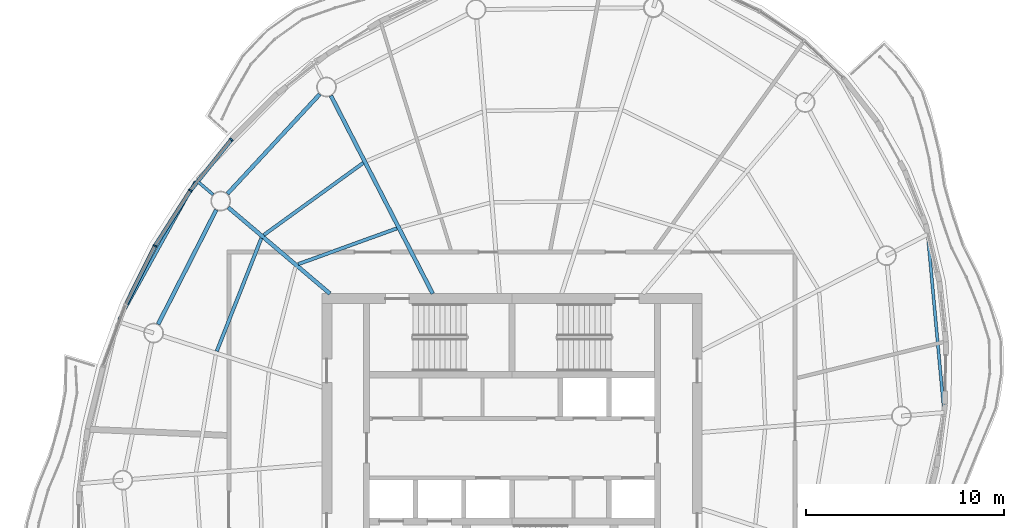
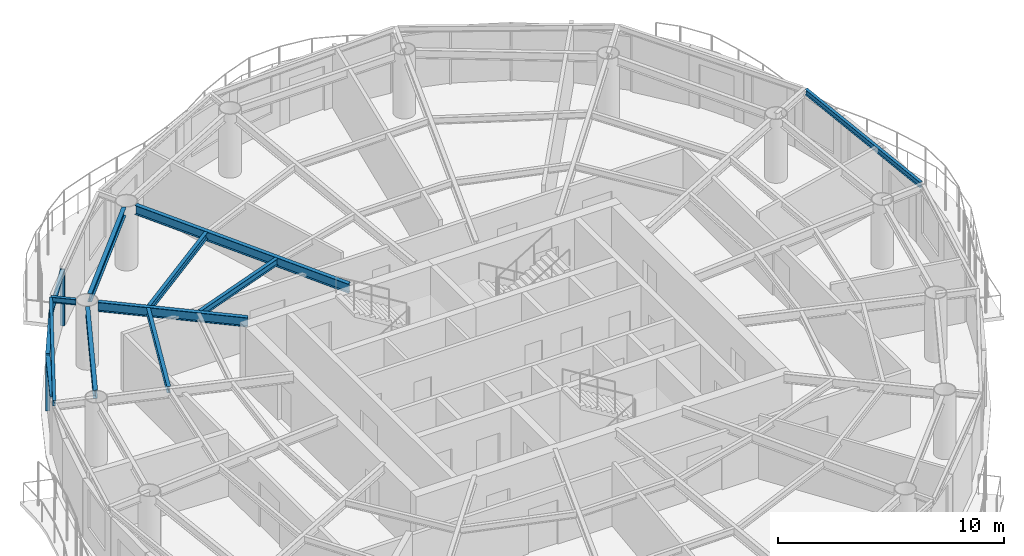
# One storey, part 4 of 13: 10 beams, 6 members, 3 elements without a shape of their own.
"""IFC4 building model written with IfcOpenShell, lengths in metres."""

from ifc_helpers import new_model, si_unit, direction, frame, origin, origin_2d, place, context, subcontext, project, spatial, rectangle, i_section, extrude, material, material_profile, profile_set, type_object, element, aggregate, save


model = new_model("IFC4")

# Units and contexts
model_context = context("Model", 3, precision=1e-05, world=origin(), true_north=direction((0.0, 1.0)))
body_context = subcontext(model_context, "Body", "Model", "MODEL_VIEW")
ifc_project = project(units=[si_unit("LENGTHUNIT", "METRE"), si_unit("AREAUNIT", "SQUARE_METRE"), si_unit("VOLUMEUNIT", "CUBIC_METRE"), si_unit("PLANEANGLEUNIT", "RADIAN"), si_unit("MASSUNIT", "GRAM", prefix="KILO")], contexts=[model_context])

# Site, building, storey
site_placement = place(None, origin())
site = spatial("IfcSite", under=ifc_project, at=site_placement, CompositionType="ELEMENT")
building_placement = place(site_placement, origin())
building = spatial("IfcBuilding", under=site, at=building_placement, Name="Vermilion Reach Broadcast Tower", CompositionType="ELEMENT")
storey_placement = place(building_placement, frame((0.0, 0.0, 275.699951171875)))
storey = spatial("IfcBuildingStorey", under=building, at=storey_placement, Name="L68", CompositionType="ELEMENT", Elevation=275.699951171875)

# Beams
ifc_material_1 = material(Name="Steel S355J2", Category="steel")
ifc_material_profile_1 = material_profile(ifc_material_1, i_section(OverallWidth=0.14990234375, OverallDepth=0.300048828125, WebThickness=0.006591796875, FlangeThickness=0.009033203125, at=origin_2d()), Name="S355J2 HN 300x150x6.5x9")
ifc_profile_set_1 = profile_set([ifc_material_profile_1], Name="Steel S355J2")
beam_type_1 = type_object("IfcBeamType", Name="EB5 HN 300x150x6.5x9", PredefinedType="BEAM", material=ifc_profile_set_1)
beam_1_placement = place(storey_placement, frame((-21.994140625, 13.4609375, 3.300048828125), z_axis=(-0.484141112457, -0.874989933216, 0.0), x_axis=(0.874989933216, -0.484141112457, 0.0)))
element("IfcBeam", 1, at=beam_1_placement, inside=storey, type_object=beam_type_1, Name="Edge beam EB5-04", PredefinedType="BEAM", context=body_context, shape_type="SweptSolid", body=[
    extrude(i_section(OverallWidth=0.14990234375, OverallDepth=0.300048828125, WebThickness=0.006591796875, FlangeThickness=0.009033203125, at=origin_2d()), origin(), (0.0, 0.0, 1.0), 7.981689453125),
])
beam_2_placement = place(storey_placement, frame((15.81201171875, 1.8974609375, 3.300048828125), z_axis=(-0.091727876925, 0.995784111439, 0.0), x_axis=(-0.995784111439, -0.091727876925, 0.0)))
element("IfcBeam", 2, at=beam_2_placement, inside=storey, type_object=beam_type_1, Name="Edge beam EB5-14", PredefinedType="BEAM", context=body_context, shape_type="SweptSolid", body=[
    extrude(i_section(OverallWidth=0.14990234375, OverallDepth=0.300048828125, WebThickness=0.006591796875, FlangeThickness=0.009033203125, at=origin_2d()), origin(), (0.0, 0.0, 1.0), 8.82568359375),
])
ifc_material_2 = material(Name="Steel S355J2", Category="steel")
ifc_material_profile_2 = material_profile(ifc_material_2, i_section(OverallWidth=0.199951171875, OverallDepth=0.5, WebThickness=0.010009765625, FlangeThickness=0.01611328125, at=origin_2d()), Name="S355J2 HN 500x200x10x16")
ifc_profile_set_2 = profile_set([ifc_material_profile_2], Name="Steel S355J2")
beam_type_2 = type_object("IfcBeamType", Name="G5 HN 500x200x10x16", PredefinedType="BEAM", material=ifc_profile_set_2)
beam_3_placement = place(storey_placement, frame((-10.010498046875, 7.800048828125, 3.199951171875), z_axis=(-0.457258168112, 0.889334002327, 0.0), x_axis=(-0.889334002327, -0.457258168112, 0.0)))
element("IfcBeam", 3, at=beam_3_placement, inside=storey, type_object=beam_type_2, Name="Girder G5-03", PredefinedType="BEAM", context=body_context, shape_type="SweptSolid", body=[
    extrude(i_section(OverallWidth=0.199951171875, OverallDepth=0.5, WebThickness=0.010009765625, FlangeThickness=0.01611328125, at=origin_2d()), origin(), (0.0, 0.0, 1.0), 11.236328125),
])
beam_4_placement = place(storey_placement, frame((-15.20068359375, 7.800048828125, 3.199951171875), z_axis=(-0.762793125612, 0.646642596431, 0.0), x_axis=(-0.646642596431, -0.762793125612, 0.0)))
element("IfcBeam", 4, at=beam_4_placement, inside=storey, type_object=beam_type_2, Name="Girder G5-04", PredefinedType="BEAM", context=body_context, shape_type="SweptSolid", body=[
    extrude(i_section(OverallWidth=0.199951171875, OverallDepth=0.5, WebThickness=0.010009765625, FlangeThickness=0.01611328125, at=origin_2d()), origin(), (0.0, 0.0, 1.0), 6.732421875),
])
ifc_material_3 = material(Name="Steel S355J2", Category="steel")
ifc_material_profile_3 = material_profile(ifc_material_3, i_section(OverallWidth=0.14990234375, OverallDepth=0.300048828125, WebThickness=0.006591796875, FlangeThickness=0.009033203125, at=origin_2d()), Name="S355J2 HN 300x150x6.5x9")
ifc_profile_set_3 = profile_set([ifc_material_profile_3], Name="Steel S355J2")
beam_type_3 = type_object("IfcBeamType", Name="GS5 HN 300x150x6.5x9", PredefinedType="BEAM", material=ifc_profile_set_3)
beam_5_placement = place(storey_placement, frame((-21.098876953125, 12.80029296875, 3.300048828125), z_axis=(-0.762859323173, 0.6465645003, 0.0), x_axis=(-0.6465645003, -0.762859323173, 0.0)))
element("IfcBeam", 5, at=beam_5_placement, inside=storey, type_object=beam_type_3, Name="Cantilever stub GS5-04", PredefinedType="BEAM", context=body_context, shape_type="SweptSolid", body=[
    extrude(i_section(OverallWidth=0.14990234375, OverallDepth=0.300048828125, WebThickness=0.006591796875, FlangeThickness=0.009033203125, at=origin_2d()), origin(), (0.0, 0.0, 1.0), 1.125244140625),
])
ifc_material_4 = material(Name="Steel S355J2", Category="steel")
ifc_material_profile_4 = material_profile(ifc_material_4, i_section(OverallWidth=0.199951171875, OverallDepth=0.449951171875, WebThickness=0.009033203125, FlangeThickness=0.013916015625, at=origin_2d()), Name="S355J2 HN 450x200x9x14")
ifc_profile_set_4 = profile_set([ifc_material_profile_4], Name="Steel S355J2")
beam_type_4 = type_object("IfcBeamType", Name="RB5 HN 450x200x9x14", PredefinedType="BEAM", material=ifc_profile_set_4)
beam_6_placement = place(storey_placement, frame((-15.716796875, 17.87109375, 3.22509765625), z_axis=(-0.679837550075, -0.733362738014, 0.0), x_axis=(0.733362738014, -0.679837550075, 0.0)))
element("IfcBeam", 6, at=beam_6_placement, inside=storey, type_object=beam_type_4, Name="Ring beam RB5-03", PredefinedType="BEAM", context=body_context, shape_type="SweptSolid", body=[
    extrude(i_section(OverallWidth=0.199951171875, OverallDepth=0.449951171875, WebThickness=0.009033203125, FlangeThickness=0.013916015625, at=origin_2d()), origin(), (0.0, 0.0, 1.0), 6.85546875),
])
beam_7_placement = place(storey_placement, frame((-20.944091796875, 12.03125, 3.22509765625), z_axis=(-0.453052302855, -0.891483937532, 0.0), x_axis=(0.891483937532, -0.453052302855, 0.0)))
element("IfcBeam", 7, at=beam_7_placement, inside=storey, type_object=beam_type_4, Name="Ring beam RB5-04", PredefinedType="BEAM", context=body_context, shape_type="SweptSolid", body=[
    extrude(i_section(OverallWidth=0.199951171875, OverallDepth=0.449951171875, WebThickness=0.009033203125, FlangeThickness=0.013916015625, at=origin_2d()), origin(), (0.0, 0.0, 1.0), 6.47900390625),
])
ifc_material_5 = material(Name="Steel S355J2", Category="steel")
ifc_material_profile_5 = material_profile(ifc_material_5, i_section(OverallWidth=0.175048828125, OverallDepth=0.35009765625, WebThickness=0.007080078125, FlangeThickness=0.010986328125, at=origin_2d()), Name="S355J2 HN 350x175x7x11")
ifc_profile_set_5 = profile_set([ifc_material_profile_5], Name="Steel S355J2")
beam_type_5 = type_object("IfcBeamType", Name="SB5 HN 350x175x7x11", PredefinedType="BEAM", material=ifc_profile_set_5)
beam_8_placement = place(storey_placement, frame((-11.81787109375, 11.0966796875, 3.275146484375), z_axis=(-0.940220108875, -0.340567389613, 0.0), x_axis=(0.340567389613, -0.940220108875, 0.0)))
element("IfcBeam", 8, at=beam_8_placement, inside=storey, type_object=beam_type_5, Name="Secondary beam SB5-03-1", PredefinedType="BEAM", context=body_context, shape_type="SweptSolid", body=[
    extrude(i_section(OverallWidth=0.175048828125, OverallDepth=0.35009765625, WebThickness=0.007080078125, FlangeThickness=0.010986328125, at=origin_2d()), origin(), (0.0, 0.0, 1.0), 5.303466796875),
])
beam_9_placement = place(storey_placement, frame((-13.517578125, 14.402587890625, 3.275146484375), z_axis=(-0.809771251518, -0.586745703192, 0.0), x_axis=(0.586745703192, -0.809771251518, 0.0)))
element("IfcBeam", 9, at=beam_9_placement, inside=storey, type_object=beam_type_5, Name="Secondary beam SB5-03-2", PredefinedType="BEAM", context=body_context, shape_type="SweptSolid", body=[
    extrude(i_section(OverallWidth=0.175048828125, OverallDepth=0.35009765625, WebThickness=0.007080078125, FlangeThickness=0.010986328125, at=origin_2d()), origin(), (0.0, 0.0, 1.0), 6.20361328125),
])
beam_10_placement = place(storey_placement, frame((-18.6630859375, 10.604248046875, 3.275146484375), z_axis=(-0.366931189603, -0.930248086317, 0.0), x_axis=(0.930248086317, -0.366931189603, 0.0)))
element("IfcBeam", 10, at=beam_10_placement, inside=storey, type_object=beam_type_5, Name="Secondary beam SB5-04-2", PredefinedType="BEAM", context=body_context, shape_type="SweptSolid", body=[
    extrude(i_section(OverallWidth=0.175048828125, OverallDepth=0.35009765625, WebThickness=0.007080078125, FlangeThickness=0.010986328125, at=origin_2d()), origin(), (0.0, 0.0, 1.0), 6.141357421875),
])

# Curtain wall, member
ifc_material_6 = material(Name="Low-e laminated clear glass in aluminium frame", Category="aluminium")
curtain_wall_type = type_object("IfcCurtainWallType", Name="Slot curtain wall", PredefinedType="NOTDEFINED", material=ifc_material_6)
placement = place(storey_placement, origin())
curtain_wall_1 = element("IfcCurtainWall", 11, at=placement, inside=storey, type_object=curtain_wall_type, Name="Slot curtain wall L68 10", PredefinedType="NOTDEFINED")
ifc_material_7 = material(Name="Anodised aluminium", Category="aluminium")
ifc_material_profile_6 = material_profile(ifc_material_7, rectangle(XDim=0.199951171875, YDim=0.080078125, at=origin_2d()), Name="Slot mullion 80 x 200")
ifc_profile_set_6 = profile_set([ifc_material_profile_6], Name="Anodised aluminium")
member_type_1 = type_object("IfcMemberType", Name="Slot mullion 80 x 200", PredefinedType="MULLION", material=ifc_profile_set_6)
member_1_placement = place(storey_placement, frame((-20.177734375, 15.5859375, 0.0), z_axis=(0.0, 0.0, 1.0), x_axis=(0.744066956623, -0.66810505466, 0.0)))
member_1 = element("IfcMember", 12, at=member_1_placement, type_object=member_type_1, Name="Slot mullion L68 10", PredefinedType="MULLION", context=body_context, shape_type="SweptSolid", body=[
    extrude(rectangle(XDim=0.199951171875, YDim=0.080078125, at=origin_2d()), origin(), (0.0, 0.0, 1.0), 3.050048828125),
])

curtain_wall_2 = element("IfcCurtainWall", 13, at=placement, inside=storey, type_object=curtain_wall_type, Name="Slot curtain wall L68 11", PredefinedType="NOTDEFINED")
member_2_placement = place(storey_placement, frame((-22.246337890625, 13.01123046875, 0.0), z_axis=(0.0, 0.0, 1.0), x_axis=(0.812226836843, -0.58334172276, 0.0)))
member_2 = element("IfcMember", 14, at=member_2_placement, type_object=member_type_1, Name="Slot mullion L68 11", PredefinedType="MULLION", context=body_context, shape_type="SweptSolid", body=[
    extrude(rectangle(XDim=0.199951171875, YDim=0.080078125, at=origin_2d()), origin(), (0.0, 0.0, 1.0), 3.050048828125),
])

curtain_wall_3 = element("IfcCurtainWall", 15, at=placement, inside=storey, type_object=curtain_wall_type, Name="Slot curtain wall L68 12", PredefinedType="NOTDEFINED")
member_3_placement = place(storey_placement, frame((-24.035888671875, 10.21240234375, 0.0), z_axis=(0.0, 0.0, 1.0), x_axis=(0.870183752511, -0.49272734536, 0.0)))
member_3 = element("IfcMember", 16, at=member_3_placement, type_object=member_type_1, Name="Slot mullion L68 12", PredefinedType="MULLION", context=body_context, shape_type="SweptSolid", body=[
    extrude(rectangle(XDim=0.199951171875, YDim=0.080078125, at=origin_2d()), origin(), (0.0, 0.0, 1.0), 3.050048828125),
])

# Member
ifc_material_8 = material(Name="Anodised aluminium", Category="aluminium")
ifc_material_profile_7 = material_profile(ifc_material_8, rectangle(XDim=0.199951171875, YDim=0.10009765625, at=origin_2d()), Name="Slot transom 200 x 100")
ifc_profile_set_7 = profile_set([ifc_material_profile_7], Name="Anodised aluminium")
member_type_2 = type_object("IfcMemberType", Name="Slot transom 200 x 100", PredefinedType="USERDEFINED", material=ifc_profile_set_7)
member_4_placement = place(storey_placement, frame((-20.202880859375, 15.5546875, 3.0), z_axis=(-0.626273555604, -0.779603382209, 0.0), x_axis=(0.779603382209, -0.626273555604, 0.0)))
member_4 = element("IfcMember", 17, at=member_4_placement, type_object=member_type_2, Name="Slot transom L68 10.1", ObjectType="TRANSOM", PredefinedType="USERDEFINED", context=body_context, shape_type="SweptSolid", body=[
    extrude(rectangle(XDim=0.199951171875, YDim=0.10009765625, at=origin_2d()), origin(), (0.0, 0.0, 1.0), 3.22265625),
])

aggregate(curtain_wall_1, [member_1, member_4])

member_5_placement = place(storey_placement, frame((-22.267822265625, 12.977294921875, 3.0), z_axis=(-0.538696756119, -0.842499735873, 0.0), x_axis=(0.842499735873, -0.538696756119, 0.0)))
member_5 = element("IfcMember", 18, at=member_5_placement, type_object=member_type_2, Name="Slot transom L68 11.1", ObjectType="TRANSOM", PredefinedType="USERDEFINED", context=body_context, shape_type="SweptSolid", body=[
    extrude(rectangle(XDim=0.199951171875, YDim=0.10009765625, at=origin_2d()), origin(), (0.0, 0.0, 1.0), 3.24169921875),
])

aggregate(curtain_wall_2, [member_2, member_5])

member_6_placement = place(storey_placement, frame((-24.0537109375, 10.1767578125, 3.0), z_axis=(-0.445314748134, -0.895374097846, 0.0), x_axis=(0.895374097846, -0.445314748134, 0.0)))
member_6 = element("IfcMember", 19, at=member_6_placement, type_object=member_type_2, Name="Slot transom L68 12.1", ObjectType="TRANSOM", PredefinedType="USERDEFINED", context=body_context, shape_type="SweptSolid", body=[
    extrude(rectangle(XDim=0.199951171875, YDim=0.10009765625, at=origin_2d()), origin(), (0.0, 0.0, 1.0), 3.24169921875),
])

aggregate(curtain_wall_3, [member_3, member_6])

save(model, "model.ifc")
